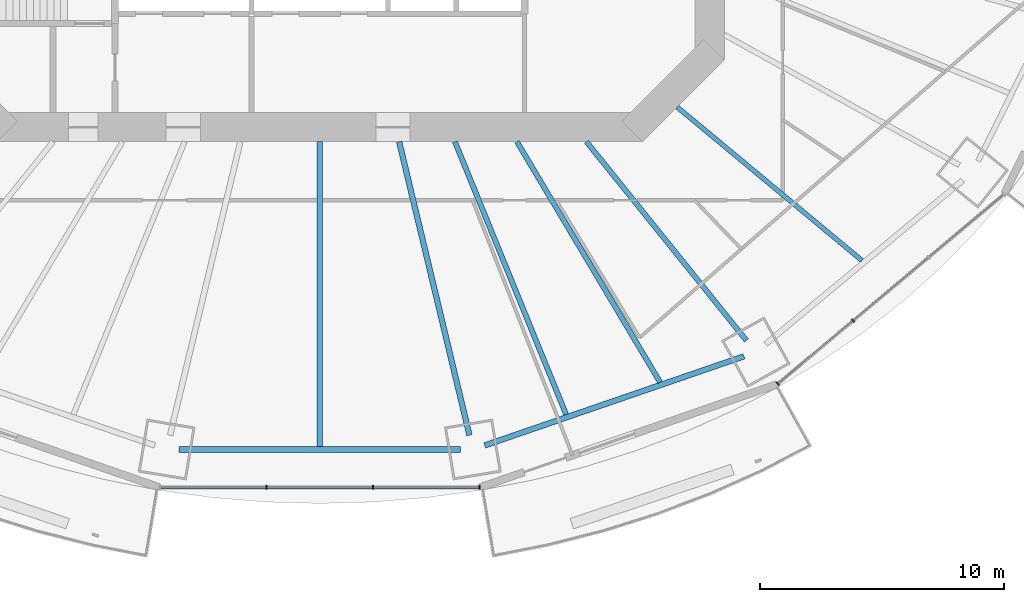
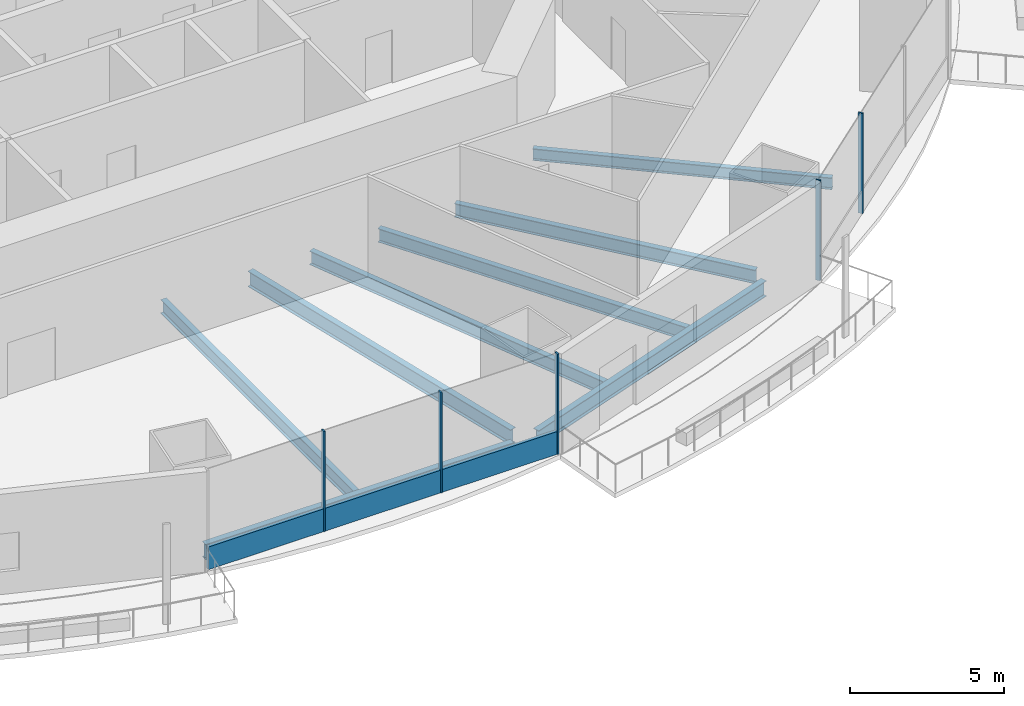
# One storey, part 4 of 21: 8 beams, 6 members, 2 elements without a shape of their own.
"""IFC4 building model written with IfcOpenShell, lengths in metres."""

from ifc_helpers import new_model, si_unit, direction, frame, origin, origin_2d, place, context, subcontext, project, spatial, rectangle, i_section, extrude, material, material_profile, profile_set, type_object, element, aggregate, save


model = new_model("IFC4")

# Units and contexts
model_context = context("Model", 3, precision=1e-05, world=origin(), true_north=direction((0.0, 1.0)))
body_context = subcontext(model_context, "Body", "Model", "MODEL_VIEW")
ifc_project = project(units=[si_unit("LENGTHUNIT", "METRE"), si_unit("AREAUNIT", "SQUARE_METRE"), si_unit("VOLUMEUNIT", "CUBIC_METRE"), si_unit("PLANEANGLEUNIT", "RADIAN"), si_unit("MASSUNIT", "GRAM", prefix="KILO")], contexts=[model_context])

# Site, building, storey
site_placement = place(None, origin())
site = spatial("IfcSite", under=ifc_project, at=site_placement, CompositionType="ELEMENT")
building_placement = place(site_placement, origin())
building = spatial("IfcBuilding", under=site, at=building_placement, Name="Marenthal Gate Tower", CompositionType="ELEMENT")
storey_placement = place(building_placement, frame((0.0, 0.0, 120.14990234375)))
storey = spatial("IfcBuildingStorey", under=building, at=storey_placement, Name="L25", CompositionType="ELEMENT", Elevation=120.14990234375)

# Curtain wall, members
ifc_material_1 = material(Name="Aluminium and glass", Category="aluminium")
curtain_wall_type = type_object("IfcCurtainWallType", Name="Curtain wall typical low", PredefinedType="NOTDEFINED", material=ifc_material_1)
curtain_wall_1_placement = place(storey_placement, origin())
curtain_wall_1 = element("IfcCurtainWall", 1, at=curtain_wall_1_placement, inside=storey, type_object=curtain_wall_type, Name="Curtain wall L25 bay 12", PredefinedType="NOTDEFINED")
ifc_material_2 = material(Name="Aluminium", Category="aluminium")
ifc_material_profile_1 = material_profile(ifc_material_2, rectangle(XDim=0.159912109375, YDim=0.06005859375, at=origin_2d()), Name="60x160 aluminium mullion")
ifc_profile_set_1 = profile_set([ifc_material_profile_1], Name="Aluminium")
member_type_1 = type_object("IfcMemberType", Name="Mullion 60x160 typical low", PredefinedType="MULLION", material=ifc_profile_set_1)
member_1_placement = place(storey_placement, frame((-2.18701171875, -27.77783203125, 0.0), z_axis=(0.0, 0.0, 1.0), x_axis=(0.0, 1.0, 0.0)))
member_1 = element("IfcMember", 2, at=member_1_placement, type_object=member_type_1, Name="Mullion L25 bay 12.2", PredefinedType="MULLION", context=body_context, shape_type="SweptSolid", body=[
    extrude(rectangle(XDim=0.159912109375, YDim=0.06005859375, at=origin_2d()), origin(), (0.0, 0.0, 1.0), 3.97021484375),
])
member_2_placement = place(storey_placement, frame((2.18701171875, -27.77783203125, 0.0), z_axis=(0.0, 0.0, 1.0), x_axis=(0.0, 1.0, 0.0)))
member_2 = element("IfcMember", 3, at=member_2_placement, type_object=member_type_1, Name="Mullion L25 bay 12.3", PredefinedType="MULLION", context=body_context, shape_type="SweptSolid", body=[
    extrude(rectangle(XDim=0.159912109375, YDim=0.06005859375, at=origin_2d()), origin(), (0.0, 0.0, 1.0), 3.97021484375),
])
member_3_placement = place(storey_placement, frame((6.560791015625, -27.77783203125, 0.0), z_axis=(0.0, 0.0, 1.0), x_axis=(0.0, 1.0, 0.0)))
member_3 = element("IfcMember", 4, at=member_3_placement, type_object=member_type_1, Name="Mullion L25 bay 12.4", PredefinedType="MULLION", context=body_context, shape_type="SweptSolid", body=[
    extrude(rectangle(XDim=0.159912109375, YDim=0.06005859375, at=origin_2d()), origin(), (0.0, 0.0, 1.0), 3.97021484375),
])

curtain_wall_2_placement = place(storey_placement, origin())
curtain_wall_2 = element("IfcCurtainWall", 5, at=curtain_wall_2_placement, inside=storey, type_object=curtain_wall_type, Name="Curtain wall L25 bay 14", PredefinedType="NOTDEFINED")
member_4_placement = place(storey_placement, frame((18.79248046875, -23.529541015625, 0.0), z_axis=(0.0, 0.0, 1.0), x_axis=(-0.642437868504, 0.766337774817, 0.0)))
member_4 = element("IfcMember", 6, at=member_4_placement, type_object=member_type_1, Name="Mullion L25 bay 14.1", PredefinedType="MULLION", context=body_context, shape_type="SweptSolid", body=[
    extrude(rectangle(XDim=0.159912109375, YDim=0.06005859375, at=origin_2d()), origin(), (0.0, 0.0, 1.0), 3.97021484375),
])
member_5_placement = place(storey_placement, frame((21.884033203125, -20.937744140625, 0.0), z_axis=(0.0, 0.0, 1.0), x_axis=(-0.642437868504, 0.766337774817, 0.0)))
member_5 = element("IfcMember", 7, at=member_5_placement, type_object=member_type_1, Name="Mullion L25 bay 14.2", PredefinedType="MULLION", context=body_context, shape_type="SweptSolid", body=[
    extrude(rectangle(XDim=0.159912109375, YDim=0.06005859375, at=origin_2d()), origin(), (0.0, 0.0, 1.0), 3.97021484375),
])
aggregate(curtain_wall_2, [member_4, member_5])

# Member
ifc_material_3 = material(Name="Aluminium", Category="aluminium")
ifc_material_profile_2 = material_profile(ifc_material_3, rectangle(XDim=0.1201171875, YDim=0.89990234375, at=origin_2d()), Name="120x900 aluminium transom")
ifc_profile_set_2 = profile_set([ifc_material_profile_2], Name="Aluminium")
member_type_2 = type_object("IfcMemberType", Name="Transom 120x900 typical low", PredefinedType="USERDEFINED", material=ifc_profile_set_2)
member_6_placement = place(storey_placement, frame((-6.531005859375, -27.77783203125, 0.4501953125), z_axis=(1.0, 0.0, 0.0), x_axis=(0.0, 1.0, 0.0)))
member_6 = element("IfcMember", 8, at=member_6_placement, type_object=member_type_2, Name="Transom L25 bay 12", ObjectType="TRANSOM", PredefinedType="USERDEFINED", context=body_context, shape_type="SweptSolid", body=[
    extrude(rectangle(XDim=0.1201171875, YDim=0.89990234375, at=origin_2d()), origin(), (0.0, 0.0, 1.0), 13.06201171875),
])

aggregate(curtain_wall_1, [member_1, member_2, member_3, member_6])

# Beams
ifc_material_4 = material(Name="Steel S355", Category="steel")
ifc_material_profile_3 = material_profile(ifc_material_4, i_section(OverallWidth=0.193115234375, OverallDepth=0.467041015625, WebThickness=0.011474609375, FlangeThickness=0.01904296875, FilletRadius=0.010009765625, at=origin_2d()), Name="W460X97")
ifc_profile_set_3 = profile_set([ifc_material_profile_3], Name="Steel S355")
beam_type_1 = type_object("IfcBeamType", Name="W460X97 beam", PredefinedType="BEAM", material=ifc_profile_set_3)
beam_1_placement = place(storey_placement, frame((22.244384765625, -18.4716796875, -0.413330078125), z_axis=(-0.7693296468, 0.638852013031, 0.0), x_axis=(-0.638852013031, -0.7693296468, 0.0)))
element("IfcBeam", 9, at=beam_1_placement, inside=storey, type_object=beam_type_1, Name="BM-L25-37", PredefinedType="BEAM", context=body_context, shape_type="SweptSolid", body=[
    extrude(i_section(OverallWidth=0.193115234375, OverallDepth=0.467041015625, WebThickness=0.011474609375, FlangeThickness=0.01904296875, FilletRadius=0.010009765625, at=origin_2d()), origin(), (0.0, 0.0, 1.0), 9.84765625),
])
ifc_material_5 = material(Name="Steel S355", Category="steel")
ifc_material_profile_4 = material_profile(ifc_material_5, i_section(OverallWidth=0.2099609375, OverallDepth=0.535888671875, WebThickness=0.010986328125, FlangeThickness=0.017333984375, FilletRadius=0.0126953125, at=origin_2d()), Name="W530X101")
ifc_profile_set_4 = profile_set([ifc_material_profile_4], Name="Steel S355")
beam_type_2 = type_object("IfcBeamType", Name="W530X101 beam", PredefinedType="BEAM", material=ifc_profile_set_4)
beam_2_placement = place(storey_placement, frame((13.962158203125, -23.4658203125, -0.447998046875), z_axis=(-0.51133355271, 0.859382335095, 0.0), x_axis=(-0.859382335095, -0.51133355271, 0.0)))
element("IfcBeam", 10, at=beam_2_placement, inside=storey, type_object=beam_type_2, Name="BM-L25-36", PredefinedType="BEAM", context=body_context, shape_type="SweptSolid", body=[
    extrude(i_section(OverallWidth=0.2099609375, OverallDepth=0.535888671875, WebThickness=0.010986328125, FlangeThickness=0.017333984375, FilletRadius=0.0126953125, at=origin_2d()), origin(), (0.0, 0.0, 1.0), 11.47998046875),
])
ifc_material_6 = material(Name="Steel S355", Category="steel")
ifc_material_profile_5 = material_profile(ifc_material_6, i_section(OverallWidth=0.2119140625, OverallDepth=0.5439453125, WebThickness=0.01318359375, FlangeThickness=0.021240234375, FilletRadius=0.0126953125, at=origin_2d()), Name="W530X123")
ifc_profile_set_5 = profile_set([ifc_material_profile_5], Name="Steel S355")
beam_type_3 = type_object("IfcBeamType", Name="W530X123 beam", PredefinedType="BEAM", material=ifc_profile_set_5)
beam_3_placement = place(storey_placement, frame((17.505126953125, -21.755126953125, -0.451904296875), z_axis=(-0.626891327439, 0.779106708726, 0.0), x_axis=(-0.779106708726, -0.626891327439, 0.0)))
element("IfcBeam", 11, at=beam_3_placement, inside=storey, type_object=beam_type_3, Name="BM-L25-14", PredefinedType="BEAM", context=body_context, shape_type="SweptSolid", body=[
    extrude(i_section(OverallWidth=0.2119140625, OverallDepth=0.5439453125, WebThickness=0.01318359375, FlangeThickness=0.021240234375, FilletRadius=0.0126953125, at=origin_2d()), origin(), (0.0, 0.0, 1.0), 10.467041015625),
])
beam_4_placement = place(storey_placement, frame((0.0, -26.11376953125, -0.451904296875), z_axis=(0.0, 1.0, 0.0), x_axis=(-1.0, 0.0, 0.0)))
element("IfcBeam", 12, at=beam_4_placement, inside=storey, type_object=beam_type_3, Name="BM-L25-34", PredefinedType="BEAM", context=body_context, shape_type="SweptSolid", body=[
    extrude(i_section(OverallWidth=0.2119140625, OverallDepth=0.5439453125, WebThickness=0.01318359375, FlangeThickness=0.021240234375, FilletRadius=0.0126953125, at=origin_2d()), origin(), (0.0, 0.0, 1.0), 12.513671875),
])
beam_5_placement = place(storey_placement, frame((10.10888671875, -24.791015625, -0.451904296875), z_axis=(-0.377578568114, 0.92597755097, 0.0), x_axis=(-0.92597755097, -0.377578568114, 0.0)))
element("IfcBeam", 13, at=beam_5_placement, inside=storey, type_object=beam_type_3, Name="BM-L25-35", PredefinedType="BEAM", context=body_context, shape_type="SweptSolid", body=[
    extrude(i_section(OverallWidth=0.2119140625, OverallDepth=0.5439453125, WebThickness=0.01318359375, FlangeThickness=0.021240234375, FilletRadius=0.0126953125, at=origin_2d()), origin(), (0.0, 0.0, 1.0), 12.08544921875),
])
ifc_material_7 = material(Name="Steel S355", Category="steel")
ifc_material_profile_6 = material_profile(ifc_material_7, i_section(OverallWidth=0.22900390625, OverallDepth=0.612060546875, WebThickness=0.011962890625, FlangeThickness=0.01953125, FilletRadius=0.0126953125, at=origin_2d()), Name="W610X125")
ifc_profile_set_6 = profile_set([ifc_material_profile_6], Name="Steel S355")
beam_type_4 = type_object("IfcBeamType", Name="W610X125 beam", PredefinedType="BEAM", material=ifc_profile_set_6)
beam_6_placement = place(storey_placement, frame((6.142333984375, -25.641845703125, -0.48583984375), z_axis=(-0.232953092767, 0.972487972455, 0.0), x_axis=(-0.972487972455, -0.232953092767, 0.0)))
element("IfcBeam", 14, at=beam_6_placement, inside=storey, type_object=beam_type_4, Name="BM-L25-13", PredefinedType="BEAM", context=body_context, shape_type="SweptSolid", body=[
    extrude(i_section(OverallWidth=0.22900390625, OverallDepth=0.612060546875, WebThickness=0.011962890625, FlangeThickness=0.01953125, FilletRadius=0.0126953125, at=origin_2d()), origin(), (0.0, 0.0, 1.0), 12.38232421875),
])
beam_7_placement = place(storey_placement, frame((-5.769287109375, -26.228271484375, -0.48583984375), z_axis=(1.0, 0.0, 0.0), x_axis=(0.0, 1.0, 0.0)))
element("IfcBeam", 15, at=beam_7_placement, inside=storey, type_object=beam_type_4, Name="BM-L25-52", PredefinedType="BEAM", context=body_context, shape_type="SweptSolid", body=[
    extrude(i_section(OverallWidth=0.22900390625, OverallDepth=0.612060546875, WebThickness=0.011962890625, FlangeThickness=0.01953125, FilletRadius=0.0126953125, at=origin_2d()), origin(), (0.0, 0.0, 1.0), 11.53857421875),
])
beam_8_placement = place(storey_placement, frame((6.76904296875, -26.060791015625, -0.48583984375), z_axis=(0.945627146872, 0.325252669626, 0.0), x_axis=(-0.325252669626, 0.945627146872, 0.0)))
element("IfcBeam", 16, at=beam_8_placement, inside=storey, type_object=beam_type_4, Name="BM-L25-53", PredefinedType="BEAM", context=body_context, shape_type="SweptSolid", body=[
    extrude(i_section(OverallWidth=0.22900390625, OverallDepth=0.612060546875, WebThickness=0.011962890625, FlangeThickness=0.01953125, FilletRadius=0.0126953125, at=origin_2d()), origin(), (0.0, 0.0, 1.0), 11.24658203125),
])

save(model, "model.ifc")
